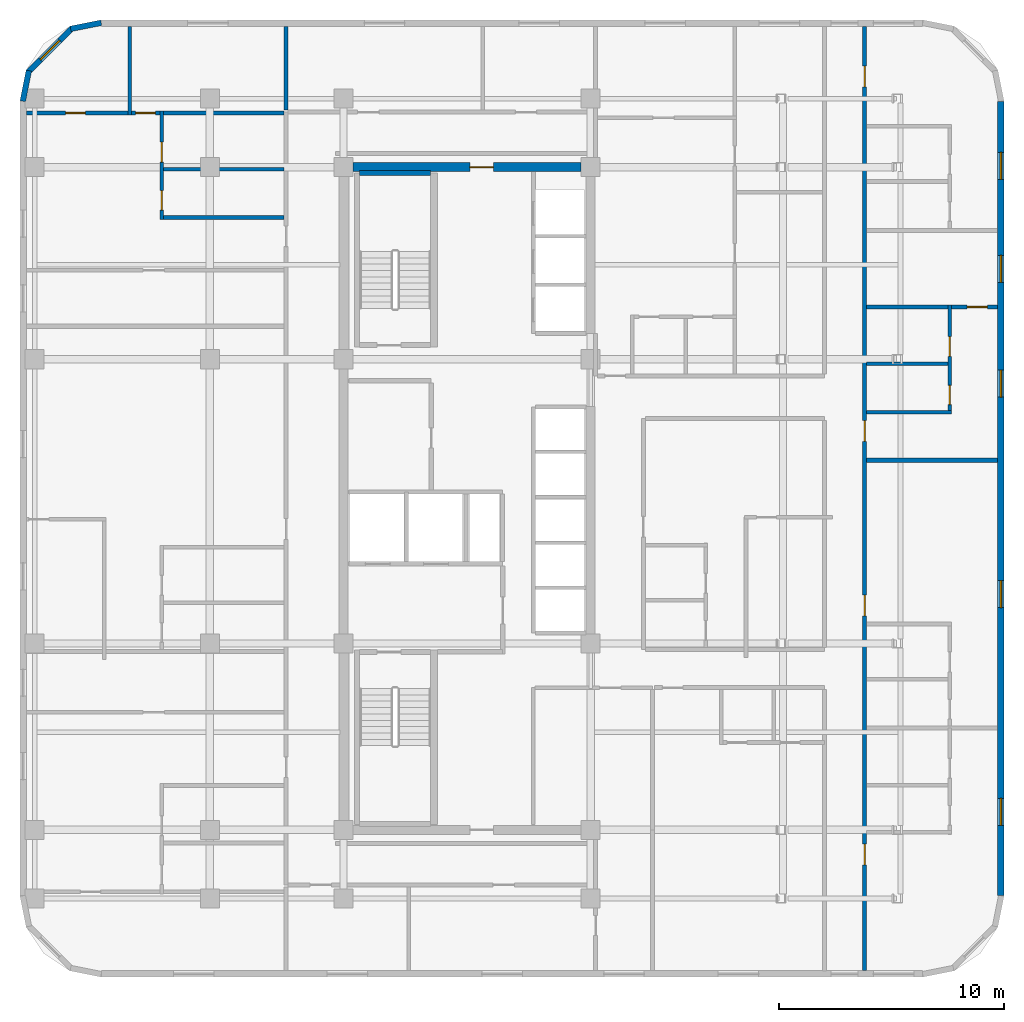
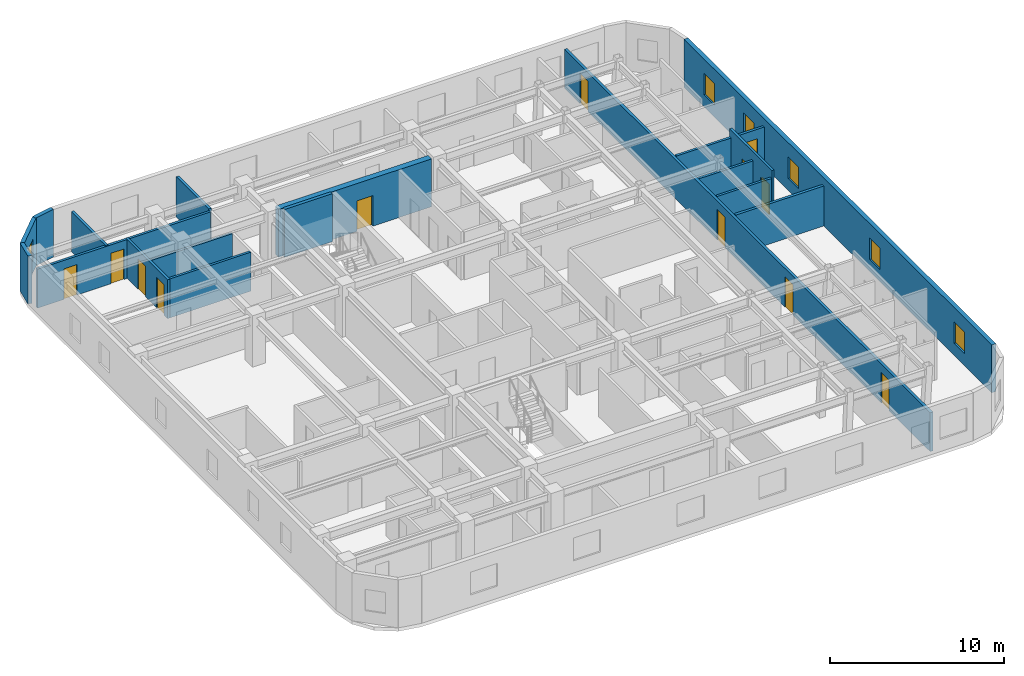
# One storey, part 6 of 9: 18 walls, 12 doors, 6 windows, 18 openings.
"""IFC4 building model written with IfcOpenShell, lengths in metres."""

from ifc_helpers import new_model, si_unit, direction, frame, frame_2d, origin, place, context, subcontext, project, spatial, rectangle, extrude, material, layer, layer_set, type_object, element, fill, save


model = new_model("IFC4")

# Units and contexts
model_context = context("Model", 3, precision=1e-05, world=origin(), true_north=direction((0.0, 1.0)))
body_context = subcontext(model_context, "Body", "Model", "MODEL_VIEW")
ifc_project = project(units=[si_unit("LENGTHUNIT", "METRE"), si_unit("AREAUNIT", "SQUARE_METRE"), si_unit("VOLUMEUNIT", "CUBIC_METRE"), si_unit("PLANEANGLEUNIT", "RADIAN"), si_unit("MASSUNIT", "GRAM", prefix="KILO")], contexts=[model_context])

# Site, building, storey
site_placement = place(None, origin())
site = spatial("IfcSite", under=ifc_project, at=site_placement, CompositionType="ELEMENT")
building_placement = place(site_placement, origin())
building = spatial("IfcBuilding", under=site, at=building_placement, Name="Ochreholt Gables", CompositionType="ELEMENT")
storey_placement = place(building_placement, frame((0.0, 0.0, 106.199951171875)))
storey = spatial("IfcBuildingStorey", under=building, at=storey_placement, Name="L27", CompositionType="ELEMENT", Elevation=106.199951171875)

# Wall, opening, door
ifc_material_1 = material(Name="Concrete 60 MPa", Category="concrete")
ifc_layer_1 = layer(ifc_material_1, 0.39990234375, Name="Concrete 60 MPa")
ifc_layer_set_1 = layer_set([ifc_layer_1], Name="Concrete 60 MPa")
wall_type_1 = type_object("IfcWallType", Name="WALL-CSW-400", PredefinedType="SHEAR", material=ifc_layer_set_1)
wall_1_placement = place(storey_placement, frame((24.625, 38.75, 0.0), z_axis=(0.0, 0.0, 1.0), x_axis=(1.0, 0.0, 0.0)))
wall_1 = element("IfcWall", 1, at=wall_1_placement, inside=storey, type_object=wall_type_1, Name="L27 Core North Shear Wall", PredefinedType="SHEAR", context=body_context, shape_type="SweptSolid", body=[
    extrude(rectangle(XDim=10.14990234375, YDim=0.39990234375, at=frame_2d((5.074951171875, 0.0))), origin(), (0.0, 0.0, 1.0), 3.360107421875),
])
opening_1_placement = place(wall_1_placement, frame((5.199951171875, 0.0, 0.0)))
opening_1 = element("IfcOpeningElement", 2, at=opening_1_placement, cuts=wall_1, Name="Opening D-FLB", PredefinedType="OPENING", context=body_context, shape_type="SweptSolid", body=[
    extrude(rectangle(XDim=1.050048828125, YDim=2.14990234375, at=frame_2d((0.52490234375, 1.074951171875))), frame((0.0, 0.2099609375, 0.0), z_axis=(0.0, -1.0, 0.0), x_axis=(1.0, 0.0, 0.0)), (0.0, 0.0, 1.0), 0.419921875),
])
ifc_material_2 = material(Name="Hollow Metal Steel", Category="steel")
door_type_1 = type_object("IfcDoorType", Name="DR-INT-FLB1050", OperationType="NOTDEFINED", PredefinedType="DOOR", material=ifc_material_2)
door_1_placement = place(opening_1_placement, frame((1.050048828125, 0.0, 0.0), z_axis=(0.0, 0.0, 1.0), x_axis=(-1.0, 0.0, 0.0)))
door_1 = element("IfcDoor", 3, at=door_1_placement, inside=storey, type_object=door_type_1, Name="L27 Door D-C2CRN-L27", OperationType="SINGLE_SWING_RIGHT", OverallHeight=2.14990234375, OverallWidth=1.050048828125, PredefinedType="DOOR", context=body_context, shape_type="SweptSolid", body=[
    extrude(rectangle(XDim=1.050048828125, YDim=2.14990234375, at=frame_2d((0.52490234375, 1.074951171875))), frame((0.0, 0.02490234375, 0.0), z_axis=(0.0, -1.0, 0.0), x_axis=(1.0, 0.0, 0.0)), (0.0, 0.0, 1.0), 0.050048828125),
])
fill(opening_1, door_1)

# Wall, openings, windows
ifc_material_3 = material(Name="Precast concrete 40 MPa", Category="concrete")
ifc_layer_2 = layer(ifc_material_3, 0.280029296875, Name="Precast concrete 40 MPa")
ifc_layer_set_2 = layer_set([ifc_layer_2], Name="Precast concrete 40 MPa")
wall_type_2 = type_object("IfcWallType", Name="WALL-EXT-280", PredefinedType="SOLIDWALL", material=ifc_layer_set_2)
wall_2_placement = place(storey_placement, frame((53.4599609375, 6.320068359375, 0.0), z_axis=(0.0, 0.0, 1.0), x_axis=(0.0, 1.0, 0.0)))
wall_2 = element("IfcWall", 4, at=wall_2_placement, inside=storey, type_object=wall_type_2, Name="L27 East Exterior Wall", PredefinedType="SOLIDWALL", context=body_context, shape_type="SweptSolid", body=[
    extrude(rectangle(XDim=35.35986328125, YDim=0.280029296875, at=frame_2d((17.679931640625, 0.0))), origin(), (0.0, 0.0, 1.0), 3.360107421875),
])
opening_2_placement = place(wall_2_placement, frame((3.1279296875, 0.0, 0.85009765625)))
opening_2 = element("IfcOpeningElement", 5, at=opening_2_placement, cuts=wall_2, Name="Opening WN-3", PredefinedType="OPENING", context=body_context, shape_type="SweptSolid", body=[
    extrude(rectangle(XDim=1.199951171875, YDim=1.5, at=frame_2d((0.60009765625, 0.75))), frame((0.0, 0.14990234375, 0.0), z_axis=(0.0, -1.0, 0.0), x_axis=(1.0, 0.0, 0.0)), (0.0, 0.0, 1.0), 0.300048828125),
])
opening_3_placement = place(wall_2_placement, frame((12.820068359375, 0.0, 0.85009765625)))
opening_3 = element("IfcOpeningElement", 6, at=opening_3_placement, cuts=wall_2, Name="Opening WN-3", PredefinedType="OPENING", context=body_context, shape_type="SweptSolid", body=[
    extrude(rectangle(XDim=1.199951171875, YDim=1.5, at=frame_2d((0.60009765625, 0.75))), frame((0.0, 0.14990234375, 0.0), z_axis=(0.0, -1.0, 0.0), x_axis=(1.0, 0.0, 0.0)), (0.0, 0.0, 1.0), 0.300048828125),
])
opening_4_placement = place(wall_2_placement, frame((22.193603515625, 0.0, 0.85009765625)))
opening_4 = element("IfcOpeningElement", 7, at=opening_4_placement, cuts=wall_2, Name="Opening WN-3", PredefinedType="OPENING", context=body_context, shape_type="SweptSolid", body=[
    extrude(rectangle(XDim=1.199951171875, YDim=1.5, at=frame_2d((0.60009765625, 0.75))), frame((0.0, 0.14990234375, 0.0), z_axis=(0.0, -1.0, 0.0), x_axis=(1.0, 0.0, 0.0)), (0.0, 0.0, 1.0), 0.300048828125),
])
opening_5_placement = place(wall_2_placement, frame((27.3056640625, 0.0, 0.85009765625)))
opening_5 = element("IfcOpeningElement", 8, at=opening_5_placement, cuts=wall_2, Name="Opening WN-3", PredefinedType="OPENING", context=body_context, shape_type="SweptSolid", body=[
    extrude(rectangle(XDim=1.199951171875, YDim=1.5, at=frame_2d((0.60009765625, 0.75))), frame((0.0, 0.14990234375, 0.0), z_axis=(0.0, -1.0, 0.0), x_axis=(1.0, 0.0, 0.0)), (0.0, 0.0, 1.0), 0.300048828125),
])
opening_6_placement = place(wall_2_placement, frame((31.884033203125, 0.0, 0.85009765625)))
opening_6 = element("IfcOpeningElement", 9, at=opening_6_placement, cuts=wall_2, Name="Opening WN-3", PredefinedType="OPENING", context=body_context, shape_type="SweptSolid", body=[
    extrude(rectangle(XDim=1.199951171875, YDim=1.5, at=frame_2d((0.60009765625, 0.75))), frame((0.0, 0.14990234375, 0.0), z_axis=(0.0, -1.0, 0.0), x_axis=(1.0, 0.0, 0.0)), (0.0, 0.0, 1.0), 0.300048828125),
])
ifc_material_4 = material(Name="Triple-Glazed Thermally Broken Aluminium Window", Category="aluminium")
window_type = type_object("IfcWindowType", Name="WIN-RES-1200", PartitioningType="SINGLE_PANEL", PredefinedType="WINDOW", material=ifc_material_4)
window_1_placement = place(opening_2_placement, origin())
window_1 = element("IfcWindow", 10, at=window_1_placement, inside=storey, type_object=window_type, Name="L27 Window W-EXT-E-L27-1", OverallHeight=1.5, OverallWidth=1.199951171875, PartitioningType="SINGLE_PANEL", PredefinedType="WINDOW", context=body_context, shape_type="SweptSolid", body=[
    extrude(rectangle(XDim=1.199951171875, YDim=1.5, at=frame_2d((0.60009765625, 0.75))), frame((0.0, 0.030029296875, 0.0), z_axis=(0.0, -1.0, 0.0), x_axis=(1.0, 0.0, 0.0)), (0.0, 0.0, 1.0), 0.06005859375),
])
fill(opening_2, window_1)
window_2_placement = place(opening_3_placement, origin())
window_2 = element("IfcWindow", 11, at=window_2_placement, inside=storey, type_object=window_type, Name="L27 Window W-EXT-E-L27-2", OverallHeight=1.5, OverallWidth=1.199951171875, PartitioningType="SINGLE_PANEL", PredefinedType="WINDOW", context=body_context, shape_type="SweptSolid", body=[
    extrude(rectangle(XDim=1.199951171875, YDim=1.5, at=frame_2d((0.60009765625, 0.75))), frame((0.0, 0.030029296875, 0.0), z_axis=(0.0, -1.0, 0.0), x_axis=(1.0, 0.0, 0.0)), (0.0, 0.0, 1.0), 0.06005859375),
])
fill(opening_3, window_2)
window_3_placement = place(opening_4_placement, origin())
window_3 = element("IfcWindow", 12, at=window_3_placement, inside=storey, type_object=window_type, Name="L27 Window W-EXT-E-L27-3", OverallHeight=1.5, OverallWidth=1.199951171875, PartitioningType="SINGLE_PANEL", PredefinedType="WINDOW", context=body_context, shape_type="SweptSolid", body=[
    extrude(rectangle(XDim=1.199951171875, YDim=1.5, at=frame_2d((0.60009765625, 0.75))), frame((0.0, 0.030029296875, 0.0), z_axis=(0.0, -1.0, 0.0), x_axis=(1.0, 0.0, 0.0)), (0.0, 0.0, 1.0), 0.06005859375),
])
fill(opening_4, window_3)
window_4_placement = place(opening_5_placement, origin())
window_4 = element("IfcWindow", 13, at=window_4_placement, inside=storey, type_object=window_type, Name="L27 Window W-EXT-E-L27-4", OverallHeight=1.5, OverallWidth=1.199951171875, PartitioningType="SINGLE_PANEL", PredefinedType="WINDOW", context=body_context, shape_type="SweptSolid", body=[
    extrude(rectangle(XDim=1.199951171875, YDim=1.5, at=frame_2d((0.60009765625, 0.75))), frame((0.0, 0.030029296875, 0.0), z_axis=(0.0, -1.0, 0.0), x_axis=(1.0, 0.0, 0.0)), (0.0, 0.0, 1.0), 0.06005859375),
])
fill(opening_5, window_4)
window_5_placement = place(opening_6_placement, origin())
window_5 = element("IfcWindow", 14, at=window_5_placement, inside=storey, type_object=window_type, Name="L27 Window W-EXT-E-L27-5", OverallHeight=1.5, OverallWidth=1.199951171875, PartitioningType="SINGLE_PANEL", PredefinedType="WINDOW", context=body_context, shape_type="SweptSolid", body=[
    extrude(rectangle(XDim=1.199951171875, YDim=1.5, at=frame_2d((0.60009765625, 0.75))), frame((0.0, 0.030029296875, 0.0), z_axis=(0.0, -1.0, 0.0), x_axis=(1.0, 0.0, 0.0)), (0.0, 0.0, 1.0), 0.06005859375),
])
fill(opening_6, window_5)

# Wall
ifc_layer_3 = layer(ifc_material_3, 0.25, Name="Precast concrete 40 MPa")
ifc_layer_set_3 = layer_set([ifc_layer_3], Name="Precast concrete 40 MPa")
wall_type_3 = type_object("IfcWallType", Name="WALL-EXT-CNR", PredefinedType="SOLIDWALL", material=ifc_layer_set_3)
wall_3_placement = place(storey_placement, frame((13.41650390625, 45.17578125, 0.0), z_axis=(0.0, 0.0, 1.0), x_axis=(-0.980809899341, -0.19496651342, 0.0)))
element("IfcWall", 15, at=wall_3_placement, inside=storey, type_object=wall_type_3, Name="L27 Rounded Corner Wall NW-1", PredefinedType="SOLIDWALL", context=body_context, shape_type="SweptSolid", body=[
    extrude(rectangle(XDim=1.388671875, YDim=0.25, at=frame_2d((0.6943359375, 0.0))), origin(), (0.0, 0.0, 1.0), 3.360107421875),
])

# Wall, opening, window
wall_4_placement = place(storey_placement, frame((12.10498046875, 44.931884765625, 0.0), z_axis=(0.0, 0.0, 1.0), x_axis=(-0.707151344399, -0.707062215165, 0.0)))
wall_4 = element("IfcWall", 16, at=wall_4_placement, inside=storey, type_object=wall_type_3, Name="L27 Rounded Corner Wall NW-2", PredefinedType="SOLIDWALL", context=body_context, shape_type="SweptSolid", body=[
    extrude(rectangle(XDim=2.7392578125, YDim=0.25, at=frame_2d((1.36962890625, 0.0))), origin(), (0.0, 0.0, 1.0), 3.360107421875),
])
opening_7_placement = place(wall_4_placement, frame((0.769775390625, 0.0, 0.85009765625)))
opening_7 = element("IfcOpeningElement", 17, at=opening_7_placement, cuts=wall_4, Name="Opening WN-3", PredefinedType="OPENING", context=body_context, shape_type="SweptSolid", body=[
    extrude(rectangle(XDim=1.199951171875, YDim=1.5, at=frame_2d((0.60009765625, 0.75))), frame((0.0, 0.135009765625, 0.0), z_axis=(0.0, -1.0, 0.0), x_axis=(1.0, 0.0, 0.0)), (0.0, 0.0, 1.0), 0.27001953125),
])
window_6_placement = place(opening_7_placement, origin())
window_6 = element("IfcWindow", 18, at=window_6_placement, inside=storey, type_object=window_type, Name="L27 Corner Bedroom Window NW", OverallHeight=1.5, OverallWidth=1.199951171875, PartitioningType="SINGLE_PANEL", PredefinedType="WINDOW", context=body_context, shape_type="SweptSolid", body=[
    extrude(rectangle(XDim=1.199951171875, YDim=1.5, at=frame_2d((0.60009765625, 0.75))), frame((0.0, 0.030029296875, 0.0), z_axis=(0.0, -1.0, 0.0), x_axis=(1.0, 0.0, 0.0)), (0.0, 0.0, 1.0), 0.06005859375),
])
fill(opening_7, window_6)

# Wall
wall_5_placement = place(storey_placement, frame((10.195068359375, 43.04541015625, 0.0), z_axis=(0.0, 0.0, 1.0), x_axis=(-0.195000137217, -0.980803214965, 0.0)))
element("IfcWall", 19, at=wall_5_placement, inside=storey, type_object=wall_type_3, Name="L27 Rounded Corner Wall NW-3", PredefinedType="SOLIDWALL", context=body_context, shape_type="SweptSolid", body=[
    extrude(rectangle(XDim=1.388427734375, YDim=0.25, at=frame_2d((0.6943359375, 0.0))), origin(), (0.0, 0.0, 1.0), 3.360107421875),
])

# Wall, openings, doors
ifc_material_5 = material(Name="Fire-Rated Gypsum Acoustic Partition", Category="gypsum")
ifc_layer_4 = layer(ifc_material_5, 0.179931640625, Name="Fire-Rated Gypsum Acoustic Partition")
ifc_layer_set_4 = layer_set([ifc_layer_4], Name="Fire-Rated Gypsum Acoustic Partition")
wall_type_4 = type_object("IfcWallType", Name="WALL-INT-CR180", PredefinedType="STANDARD", material=ifc_layer_set_4)
wall_6_placement = place(storey_placement, frame((47.39990234375, 2.97998046875, 0.0), z_axis=(0.0, 0.0, 1.0), x_axis=(0.0, 1.0, 0.0)))
wall_6 = element("IfcWall", 20, at=wall_6_placement, inside=storey, type_object=wall_type_4, Name="L27 Interior Wall WI-C2FEG-L27", PredefinedType="STANDARD", context=body_context, shape_type="SweptSolid", body=[
    extrude(rectangle(XDim=42.0400390625, YDim=0.179931640625, at=frame_2d((21.02001953125, 0.0))), origin(), (0.0, 0.0, 1.0), 2.73095703125),
])
opening_8_placement = place(wall_6_placement, frame((4.716064453125, 0.0, 0.0)))
opening_8 = element("IfcOpeningElement", 21, at=opening_8_placement, cuts=wall_6, Name="Opening D-UN1", PredefinedType="OPENING", context=body_context, shape_type="SweptSolid", body=[
    extrude(rectangle(XDim=0.919921875, YDim=2.14990234375, at=frame_2d((0.4599609375, 1.074951171875))), frame((0.0, 0.099853515625, 0.0), z_axis=(0.0, -1.0, 0.0), x_axis=(1.0, 0.0, 0.0)), (0.0, 0.0, 1.0), 0.199951171875),
])
opening_9_placement = place(wall_6_placement, frame((15.7958984375, 0.0, 0.0)))
opening_9 = element("IfcOpeningElement", 22, at=opening_9_placement, cuts=wall_6, Name="Opening D-UN1", PredefinedType="OPENING", context=body_context, shape_type="SweptSolid", body=[
    extrude(rectangle(XDim=0.919921875, YDim=2.14990234375, at=frame_2d((0.4599609375, 1.074951171875))), frame((0.0, 0.099853515625, 0.0), z_axis=(0.0, -1.0, 0.0), x_axis=(1.0, 0.0, 0.0)), (0.0, 0.0, 1.0), 0.199951171875),
])
opening_10_placement = place(wall_6_placement, frame((23.56494140625, 0.0, 0.0)))
opening_10 = element("IfcOpeningElement", 23, at=opening_10_placement, cuts=wall_6, Name="Opening D-UN1", PredefinedType="OPENING", context=body_context, shape_type="SweptSolid", body=[
    extrude(rectangle(XDim=0.919921875, YDim=2.14990234375, at=frame_2d((0.4599609375, 1.074951171875))), frame((0.0, 0.099853515625, 0.0), z_axis=(0.0, -1.0, 0.0), x_axis=(1.0, 0.0, 0.0)), (0.0, 0.0, 1.0), 0.199951171875),
])
opening_11_placement = place(wall_6_placement, frame((39.347900390625, 0.0, 0.0)))
opening_11 = element("IfcOpeningElement", 24, at=opening_11_placement, cuts=wall_6, Name="Opening D-UN1", PredefinedType="OPENING", context=body_context, shape_type="SweptSolid", body=[
    extrude(rectangle(XDim=0.919921875, YDim=2.14990234375, at=frame_2d((0.4599609375, 1.074951171875))), frame((0.0, 0.099853515625, 0.0), z_axis=(0.0, -1.0, 0.0), x_axis=(1.0, 0.0, 0.0)), (0.0, 0.0, 1.0), 0.199951171875),
])
ifc_material_6 = material(Name="Engineered Oak Timber", Category="wood")
door_type_2 = type_object("IfcDoorType", Name="DR-INT-UNT920", OperationType="NOTDEFINED", PredefinedType="DOOR", material=ifc_material_6)
door_2_placement = place(opening_8_placement, origin())
door_2 = element("IfcDoor", 25, at=door_2_placement, inside=storey, type_object=door_type_2, Name="L27 Door D-U-L27FE1-ENT", OperationType="SINGLE_SWING_LEFT", OverallHeight=2.14990234375, OverallWidth=0.919921875, PredefinedType="DOOR", context=body_context, shape_type="SweptSolid", body=[
    extrude(rectangle(XDim=0.919921875, YDim=2.14990234375, at=frame_2d((0.4599609375, 1.074951171875))), frame((0.0, 0.02490234375, 0.0), z_axis=(0.0, -1.0, 0.0), x_axis=(1.0, 0.0, 0.0)), (0.0, 0.0, 1.0), 0.050048828125),
])
fill(opening_8, door_2)
door_3_placement = place(opening_9_placement, origin())
door_3 = element("IfcDoor", 26, at=door_3_placement, inside=storey, type_object=door_type_2, Name="L27 Door D-U-L27FE2-ENT", OperationType="SINGLE_SWING_RIGHT", OverallHeight=2.14990234375, OverallWidth=0.919921875, PredefinedType="DOOR", context=body_context, shape_type="SweptSolid", body=[
    extrude(rectangle(XDim=0.919921875, YDim=2.14990234375, at=frame_2d((0.4599609375, 1.074951171875))), frame((0.0, 0.02490234375, 0.0), z_axis=(0.0, -1.0, 0.0), x_axis=(1.0, 0.0, 0.0)), (0.0, 0.0, 1.0), 0.050048828125),
])
fill(opening_9, door_3)
door_4_placement = place(opening_10_placement, origin())
door_4 = element("IfcDoor", 27, at=door_4_placement, inside=storey, type_object=door_type_2, Name="L27 Door D-U-L27FE3-ENT", OperationType="SINGLE_SWING_LEFT", OverallHeight=2.14990234375, OverallWidth=0.919921875, PredefinedType="DOOR", context=body_context, shape_type="SweptSolid", body=[
    extrude(rectangle(XDim=0.919921875, YDim=2.14990234375, at=frame_2d((0.4599609375, 1.074951171875))), frame((0.0, 0.02490234375, 0.0), z_axis=(0.0, -1.0, 0.0), x_axis=(1.0, 0.0, 0.0)), (0.0, 0.0, 1.0), 0.050048828125),
])
fill(opening_10, door_4)
door_5_placement = place(opening_11_placement, origin())
door_5 = element("IfcDoor", 28, at=door_5_placement, inside=storey, type_object=door_type_2, Name="L27 Door D-U-L27FE4-ENT", OperationType="SINGLE_SWING_RIGHT", OverallHeight=2.14990234375, OverallWidth=0.919921875, PredefinedType="DOOR", context=body_context, shape_type="SweptSolid", body=[
    extrude(rectangle(XDim=0.919921875, YDim=2.14990234375, at=frame_2d((0.4599609375, 1.074951171875))), frame((0.0, 0.02490234375, 0.0), z_axis=(0.0, -1.0, 0.0), x_axis=(1.0, 0.0, 0.0)), (0.0, 0.0, 1.0), 0.050048828125),
])
fill(opening_11, door_5)

# Walls
ifc_material_7 = material(Name="Double-Stud Acoustic Demising Wall", Category="gypsum")
ifc_layer_5 = layer(ifc_material_7, 0.179931640625, Name="Double-Stud Acoustic Demising Wall")
ifc_layer_set_5 = layer_set([ifc_layer_5], Name="Double-Stud Acoustic Demising Wall")
wall_type_5 = type_object("IfcWallType", Name="WALL-INT-DM180", PredefinedType="PARTITIONING", material=ifc_layer_set_5)
wall_7_placement = place(storey_placement, frame((21.64990234375, 41.2900390625, 0.0), z_axis=(0.0, 0.0, 1.0), x_axis=(0.0, 1.0, 0.0)))
element("IfcWall", 29, at=wall_7_placement, inside=storey, type_object=wall_type_5, Name="L27 Interior Wall WI-C2WWN-L27", PredefinedType="PARTITIONING", context=body_context, shape_type="SweptSolid", body=[
    extrude(rectangle(XDim=3.72998046875, YDim=0.179931640625, at=frame_2d((1.864990234375, 0.0))), origin(), (0.0, 0.0, 1.0), 2.80908203125),
])
wall_8_placement = place(storey_placement, frame((47.489990234375, 25.7041015625, 0.0), z_axis=(0.0, 0.0, 1.0), x_axis=(1.0, 0.0, 0.0)))
element("IfcWall", 30, at=wall_8_placement, inside=storey, type_object=wall_type_5, Name="L27 Interior Wall WI-C2FED3-L27", PredefinedType="PARTITIONING", context=body_context, shape_type="SweptSolid", body=[
    extrude(rectangle(XDim=5.830078125, YDim=0.179931640625, at=frame_2d((2.9150390625, 0.0))), origin(), (0.0, 0.0, 1.0), 2.80908203125),
])
ifc_material_8 = material(Name="Moisture-Resistant Plumbing Chase Wall", Category="gypsum")
ifc_layer_6 = layer(ifc_material_8, 0.159912109375, Name="Moisture-Resistant Plumbing Chase Wall")
ifc_layer_set_6 = layer_set([ifc_layer_6], Name="Moisture-Resistant Plumbing Chase Wall")
wall_type_6 = type_object("IfcWallType", Name="WALL-INT-PL160", PredefinedType="PLUMBINGWALL", material=ifc_layer_set_6)
wall_9_placement = place(storey_placement, frame((47.489990234375, 27.844970703125, 0.0), z_axis=(0.0, 0.0, 1.0), x_axis=(1.0, 0.0, 0.0)))
element("IfcWall", 31, at=wall_9_placement, inside=storey, type_object=wall_type_6, Name="L27 Interior Wall WU-L27FE3-FYS", PredefinedType="PLUMBINGWALL", context=body_context, shape_type="SweptSolid", body=[
    extrude(rectangle(XDim=3.775146484375, YDim=0.159912109375, at=frame_2d((1.8876953125, 0.0))), origin(), (0.0, 0.0, 1.0), 2.80908203125),
])

# Wall, openings, doors
wall_10_placement = place(storey_placement, frame((51.185302734375, 27.7548828125, 0.0), z_axis=(0.0, 0.0, 1.0), x_axis=(0.0, 1.0, 0.0)))
wall_10 = element("IfcWall", 32, at=wall_10_placement, inside=storey, type_object=wall_type_6, Name="L27 Interior Wall WU-L27FE3-WX", PredefinedType="PLUMBINGWALL", context=body_context, shape_type="SweptSolid", body=[
    extrude(rectangle(XDim=4.858642578125, YDim=0.159912109375, at=frame_2d((2.42919921875, 0.0))), origin(), (0.0, 0.0, 1.0), 3.360107421875),
])
opening_12_placement = place(wall_10_placement, frame((0.419921875, 0.0, 0.0)))
opening_12 = element("IfcOpeningElement", 33, at=opening_12_placement, cuts=wall_10, Name="Opening D-BT1", PredefinedType="OPENING", context=body_context, shape_type="SweptSolid", body=[
    extrude(rectangle(XDim=0.860107421875, YDim=2.1201171875, at=frame_2d((0.43017578125, 1.06005859375))), frame((0.0, 0.08984375, 0.0), z_axis=(0.0, -1.0, 0.0), x_axis=(1.0, 0.0, 0.0)), (0.0, 0.0, 1.0), 0.179931640625),
])
opening_13_placement = place(wall_10_placement, frame((2.572021484375, 0.0, 0.0)))
opening_13 = element("IfcOpeningElement", 34, at=opening_13_placement, cuts=wall_10, Name="Opening D-GN2", PredefinedType="OPENING", context=body_context, shape_type="SweptSolid", body=[
    extrude(rectangle(XDim=0.8798828125, YDim=2.1201171875, at=frame_2d((0.43994140625, 1.06005859375))), frame((0.0, 0.08984375, 0.0), z_axis=(0.0, -1.0, 0.0), x_axis=(1.0, 0.0, 0.0)), (0.0, 0.0, 1.0), 0.179931640625),
])
door_type_3 = type_object("IfcDoorType", Name="DR-INT-BTH860", OperationType="NOTDEFINED", PredefinedType="DOOR", material=ifc_material_6)
door_6_placement = place(opening_12_placement, origin())
door_6 = element("IfcDoor", 35, at=door_6_placement, inside=storey, type_object=door_type_3, Name="L27 Door D-U-L27FE3-BTH", OperationType="SINGLE_SWING_RIGHT", OverallHeight=2.1201171875, OverallWidth=0.860107421875, PredefinedType="DOOR", context=body_context, shape_type="SweptSolid", body=[
    extrude(rectangle(XDim=0.860107421875, YDim=2.1201171875, at=frame_2d((0.43017578125, 1.06005859375))), frame((0.0, 0.02490234375, 0.0), z_axis=(0.0, -1.0, 0.0), x_axis=(1.0, 0.0, 0.0)), (0.0, 0.0, 1.0), 0.050048828125),
])
fill(opening_12, door_6)
door_type_4 = type_object("IfcDoorType", Name="DR-INT-GEN880", OperationType="NOTDEFINED", PredefinedType="DOOR", material=ifc_material_6)
door_7_placement = place(opening_13_placement, origin())
door_7 = element("IfcDoor", 36, at=door_7_placement, inside=storey, type_object=door_type_4, Name="L27 Door D-U-L27FE3-KIT", OperationType="SINGLE_SWING_LEFT", OverallHeight=2.1201171875, OverallWidth=0.8798828125, PredefinedType="DOOR", context=body_context, shape_type="SweptSolid", body=[
    extrude(rectangle(XDim=0.8798828125, YDim=2.1201171875, at=frame_2d((0.43994140625, 1.06005859375))), frame((0.0, 0.02490234375, 0.0), z_axis=(0.0, -1.0, 0.0), x_axis=(1.0, 0.0, 0.0)), (0.0, 0.0, 1.0), 0.050048828125),
])
fill(opening_13, door_7)

# Walls
wall_11_placement = place(storey_placement, frame((47.489990234375, 29.9970703125, 0.0), z_axis=(0.0, 0.0, 1.0), x_axis=(1.0, 0.0, 0.0)))
element("IfcWall", 37, at=wall_11_placement, inside=storey, type_object=wall_type_6, Name="L27 Interior Wall WU-L27FE3-WK", PredefinedType="PLUMBINGWALL", context=body_context, shape_type="SweptSolid", body=[
    extrude(rectangle(XDim=3.615234375, YDim=0.159912109375, at=frame_2d((1.8076171875, 0.0))), origin(), (0.0, 0.0, 1.0), 2.73095703125),
])
wall_12_placement = place(storey_placement, frame((16.030029296875, 36.510009765625, 0.0), z_axis=(0.0, 0.0, 1.0), x_axis=(1.0, 0.0, 0.0)))
element("IfcWall", 38, at=wall_12_placement, inside=storey, type_object=wall_type_6, Name="L27 Interior Wall WU-L27W3-FYS", PredefinedType="PLUMBINGWALL", context=body_context, shape_type="SweptSolid", body=[
    extrude(rectangle(XDim=5.530029296875, YDim=0.159912109375, at=frame_2d((2.76513671875, 0.0))), origin(), (0.0, 0.0, 1.0), 2.73095703125),
])

# Wall, openings, doors
wall_13_placement = place(storey_placement, frame((16.110107421875, 36.419921875, 0.0), z_axis=(0.0, 0.0, 1.0), x_axis=(0.0, 1.0, 0.0)))
wall_13 = element("IfcWall", 39, at=wall_13_placement, inside=storey, type_object=wall_type_6, Name="L27 Interior Wall WU-L27W3-WX", PredefinedType="PLUMBINGWALL", context=body_context, shape_type="SweptSolid", body=[
    extrude(rectangle(XDim=4.830078125, YDim=0.159912109375, at=frame_2d((2.4150390625, 0.0))), origin(), (0.0, 0.0, 1.0), 2.73095703125),
])
opening_14_placement = place(wall_13_placement, frame((0.419921875, 0.0, 0.0)))
opening_14 = element("IfcOpeningElement", 40, at=opening_14_placement, cuts=wall_13, Name="Opening D-BT1", PredefinedType="OPENING", context=body_context, shape_type="SweptSolid", body=[
    extrude(rectangle(XDim=0.860107421875, YDim=2.1201171875, at=frame_2d((0.43017578125, 1.06005859375))), frame((0.0, 0.08984375, 0.0), z_axis=(0.0, -1.0, 0.0), x_axis=(1.0, 0.0, 0.0)), (0.0, 0.0, 1.0), 0.179931640625),
])
opening_15_placement = place(wall_13_placement, frame((2.55908203125, 0.0, 0.0)))
opening_15 = element("IfcOpeningElement", 41, at=opening_15_placement, cuts=wall_13, Name="Opening D-GN2", PredefinedType="OPENING", context=body_context, shape_type="SweptSolid", body=[
    extrude(rectangle(XDim=0.8798828125, YDim=2.1201171875, at=frame_2d((0.43994140625, 1.06005859375))), frame((0.0, 0.08984375, 0.0), z_axis=(0.0, -1.0, 0.0), x_axis=(1.0, 0.0, 0.0)), (0.0, 0.0, 1.0), 0.179931640625),
])
door_8_placement = place(opening_14_placement, origin())
door_8 = element("IfcDoor", 42, at=door_8_placement, inside=storey, type_object=door_type_3, Name="L27 Door D-U-L27W3-BTH", OperationType="SINGLE_SWING_RIGHT", OverallHeight=2.1201171875, OverallWidth=0.860107421875, PredefinedType="DOOR", context=body_context, shape_type="SweptSolid", body=[
    extrude(rectangle(XDim=0.860107421875, YDim=2.1201171875, at=frame_2d((0.43017578125, 1.06005859375))), frame((0.0, 0.02490234375, 0.0), z_axis=(0.0, -1.0, 0.0), x_axis=(1.0, 0.0, 0.0)), (0.0, 0.0, 1.0), 0.050048828125),
])
fill(opening_14, door_8)
door_9_placement = place(opening_15_placement, origin())
door_9 = element("IfcDoor", 43, at=door_9_placement, inside=storey, type_object=door_type_4, Name="L27 Door D-U-L27W3-KIT", OperationType="SINGLE_SWING_LEFT", OverallHeight=2.1201171875, OverallWidth=0.8798828125, PredefinedType="DOOR", context=body_context, shape_type="SweptSolid", body=[
    extrude(rectangle(XDim=0.8798828125, YDim=2.1201171875, at=frame_2d((0.43994140625, 1.06005859375))), frame((0.0, 0.02490234375, 0.0), z_axis=(0.0, -1.0, 0.0), x_axis=(1.0, 0.0, 0.0)), (0.0, 0.0, 1.0), 0.050048828125),
])
fill(opening_15, door_9)

# Wall
wall_14_placement = place(storey_placement, frame((16.18994140625, 38.64892578125, 0.0), z_axis=(0.0, 0.0, 1.0), x_axis=(1.0, 0.0, 0.0)))
element("IfcWall", 44, at=wall_14_placement, inside=storey, type_object=wall_type_6, Name="L27 Interior Wall WU-L27W3-WK", PredefinedType="PLUMBINGWALL", context=body_context, shape_type="SweptSolid", body=[
    extrude(rectangle(XDim=5.3701171875, YDim=0.159912109375, at=frame_2d((2.68505859375, 0.0))), origin(), (0.0, 0.0, 1.0), 2.73095703125),
])

# Wall, opening, door
ifc_material_9 = material(Name="Gypsum Acoustic Stud Partition", Category="gypsum")
ifc_layer_7 = layer(ifc_material_9, 0.1650390625, Name="Gypsum Acoustic Stud Partition")
ifc_layer_set_7 = layer_set([ifc_layer_7], Name="Gypsum Acoustic Stud Partition")
wall_type_7 = type_object("IfcWallType", Name="WALL-INT-PT165", PredefinedType="PARTITIONING", material=ifc_layer_set_7)
wall_15_placement = place(storey_placement, frame((47.489990234375, 32.5234375, 0.0), z_axis=(0.0, 0.0, 1.0), x_axis=(1.0, 0.0, 0.0)))
wall_15 = element("IfcWall", 45, at=wall_15_placement, inside=storey, type_object=wall_type_7, Name="L27 Interior Wall WU-L27FE3-MN", PredefinedType="PARTITIONING", context=body_context, shape_type="SweptSolid", body=[
    extrude(rectangle(XDim=5.830078125, YDim=0.1650390625, at=frame_2d((2.9150390625, 0.0))), origin(), (0.0, 0.0, 1.0), 2.80908203125),
])
opening_16_placement = place(wall_15_placement, frame((4.467529296875, 0.0, 0.0)))
opening_16 = element("IfcOpeningElement", 46, at=opening_16_placement, cuts=wall_15, Name="Opening D-BD1", PredefinedType="OPENING", context=body_context, shape_type="SweptSolid", body=[
    extrude(rectangle(XDim=0.89990234375, YDim=2.139892578125, at=frame_2d((0.449951171875, 1.06982421875))), frame((0.0, 0.092529296875, 0.0), z_axis=(0.0, -1.0, 0.0), x_axis=(1.0, 0.0, 0.0)), (0.0, 0.0, 1.0), 0.18505859375),
])
door_type_5 = type_object("IfcDoorType", Name="DR-INT-BED900", OperationType="NOTDEFINED", PredefinedType="DOOR", material=ifc_material_6)
door_10_placement = place(opening_16_placement, origin())
door_10 = element("IfcDoor", 47, at=door_10_placement, inside=storey, type_object=door_type_5, Name="L27 Door D-U-L27FE3-BD1", OperationType="SINGLE_SWING_RIGHT", OverallHeight=2.139892578125, OverallWidth=0.89990234375, PredefinedType="DOOR", context=body_context, shape_type="SweptSolid", body=[
    extrude(rectangle(XDim=0.89990234375, YDim=2.139892578125, at=frame_2d((0.449951171875, 1.06982421875))), frame((0.0, 0.02490234375, 0.0), z_axis=(0.0, -1.0, 0.0), x_axis=(1.0, 0.0, 0.0)), (0.0, 0.0, 1.0), 0.050048828125),
])
fill(opening_16, door_10)

# Wall, openings, doors
wall_16_placement = place(storey_placement, frame((10.080078125, 41.159912109375, 0.0), z_axis=(0.0, 0.0, 1.0), x_axis=(1.0, 0.0, 0.0)))
wall_16 = element("IfcWall", 48, at=wall_16_placement, inside=storey, type_object=wall_type_7, Name="L27 Interior Wall WU-L27W3-MN", PredefinedType="PARTITIONING", context=body_context, shape_type="SweptSolid", body=[
    extrude(rectangle(XDim=11.47998046875, YDim=0.1650390625, at=frame_2d((5.739990234375, 0.0))), origin(), (0.0, 0.0, 1.0), 2.73095703125),
])
opening_17_placement = place(wall_16_placement, frame((1.75, 0.0, 0.0)))
opening_17 = element("IfcOpeningElement", 49, at=opening_17_placement, cuts=wall_16, Name="Opening D-BD2", PredefinedType="OPENING", context=body_context, shape_type="SweptSolid", body=[
    extrude(rectangle(XDim=0.8798828125, YDim=2.139892578125, at=frame_2d((0.43994140625, 1.06982421875))), frame((0.0, 0.092529296875, 0.0), z_axis=(0.0, -1.0, 0.0), x_axis=(1.0, 0.0, 0.0)), (0.0, 0.0, 1.0), 0.18505859375),
])
opening_18_placement = place(wall_16_placement, frame((4.8701171875, 0.0, 0.0)))
opening_18 = element("IfcOpeningElement", 50, at=opening_18_placement, cuts=wall_16, Name="Opening D-BD2", PredefinedType="OPENING", context=body_context, shape_type="SweptSolid", body=[
    extrude(rectangle(XDim=0.8798828125, YDim=2.139892578125, at=frame_2d((0.43994140625, 1.06982421875))), frame((0.0, 0.092529296875, 0.0), z_axis=(0.0, -1.0, 0.0), x_axis=(1.0, 0.0, 0.0)), (0.0, 0.0, 1.0), 0.18505859375),
])
door_type_6 = type_object("IfcDoorType", Name="DR-INT-BED880", OperationType="NOTDEFINED", PredefinedType="DOOR", material=ifc_material_6)
door_11_placement = place(opening_17_placement, origin())
door_11 = element("IfcDoor", 51, at=door_11_placement, inside=storey, type_object=door_type_6, Name="L27 Door D-U-L27W3-BD1", OperationType="SINGLE_SWING_LEFT", OverallHeight=2.139892578125, OverallWidth=0.8798828125, PredefinedType="DOOR", context=body_context, shape_type="SweptSolid", body=[
    extrude(rectangle(XDim=0.8798828125, YDim=2.139892578125, at=frame_2d((0.43994140625, 1.06982421875))), frame((0.0, 0.02490234375, 0.0), z_axis=(0.0, -1.0, 0.0), x_axis=(1.0, 0.0, 0.0)), (0.0, 0.0, 1.0), 0.050048828125),
])
fill(opening_17, door_11)
door_12_placement = place(opening_18_placement, origin())
door_12 = element("IfcDoor", 52, at=door_12_placement, inside=storey, type_object=door_type_6, Name="L27 Door D-U-L27W3-BD2", OperationType="SINGLE_SWING_RIGHT", OverallHeight=2.139892578125, OverallWidth=0.8798828125, PredefinedType="DOOR", context=body_context, shape_type="SweptSolid", body=[
    extrude(rectangle(XDim=0.8798828125, YDim=2.139892578125, at=frame_2d((0.43994140625, 1.06982421875))), frame((0.0, 0.02490234375, 0.0), z_axis=(0.0, -1.0, 0.0), x_axis=(1.0, 0.0, 0.0)), (0.0, 0.0, 1.0), 0.050048828125),
])
fill(opening_18, door_12)

# Walls
wall_17_placement = place(storey_placement, frame((14.679931640625, 41.080078125, 0.0), z_axis=(0.0, 0.0, 1.0), x_axis=(0.0, 1.0, 0.0)))
element("IfcWall", 53, at=wall_17_placement, inside=storey, type_object=wall_type_7, Name="L27 Interior Wall WU-L27W3-BSD", PredefinedType="PARTITIONING", context=body_context, shape_type="SweptSolid", body=[
    extrude(rectangle(XDim=3.93994140625, YDim=0.1650390625, at=frame_2d((1.969970703125, 0.0))), origin(), (0.0, 0.0, 1.0), 2.80908203125),
])
ifc_material_10 = material(Name="Concrete 50 MPa", Category="concrete")
ifc_layer_8 = layer(ifc_material_10, 0.219970703125, Name="Concrete 50 MPa")
ifc_layer_set_8 = layer_set([ifc_layer_8], Name="Concrete 50 MPa")
wall_type_8 = type_object("IfcWallType", Name="WALL-STW-220", PredefinedType="SHEAR", material=ifc_layer_set_8)
wall_18_placement = place(storey_placement, frame((24.919921875, 38.489990234375, 0.0), z_axis=(0.0, 0.0, 1.0), x_axis=(1.0, 0.0, 0.0)))
element("IfcWall", 54, at=wall_18_placement, inside=storey, type_object=wall_type_8, Name="L27 Exit Stair 2 North Wall", PredefinedType="SHEAR", context=body_context, shape_type="SweptSolid", body=[
    extrude(rectangle(XDim=3.16015625, YDim=0.219970703125, at=frame_2d((1.580078125, 0.0))), origin(), (0.0, 0.0, 1.0), 3.360107421875),
])

save(model, "model.ifc")
